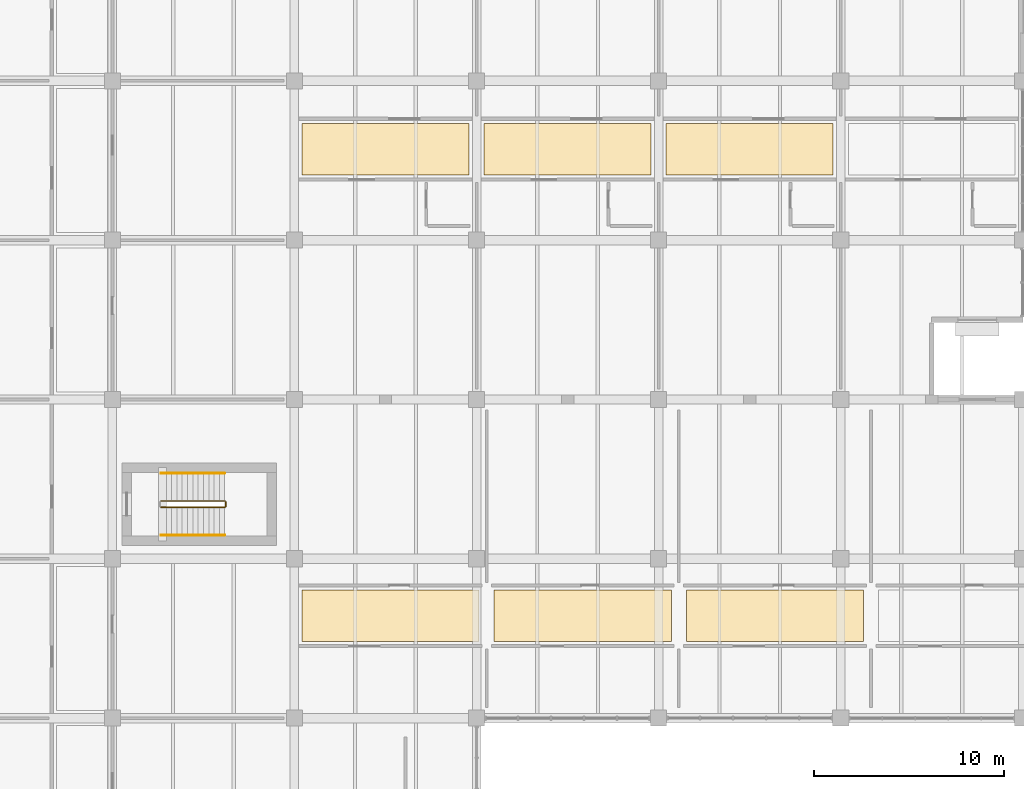
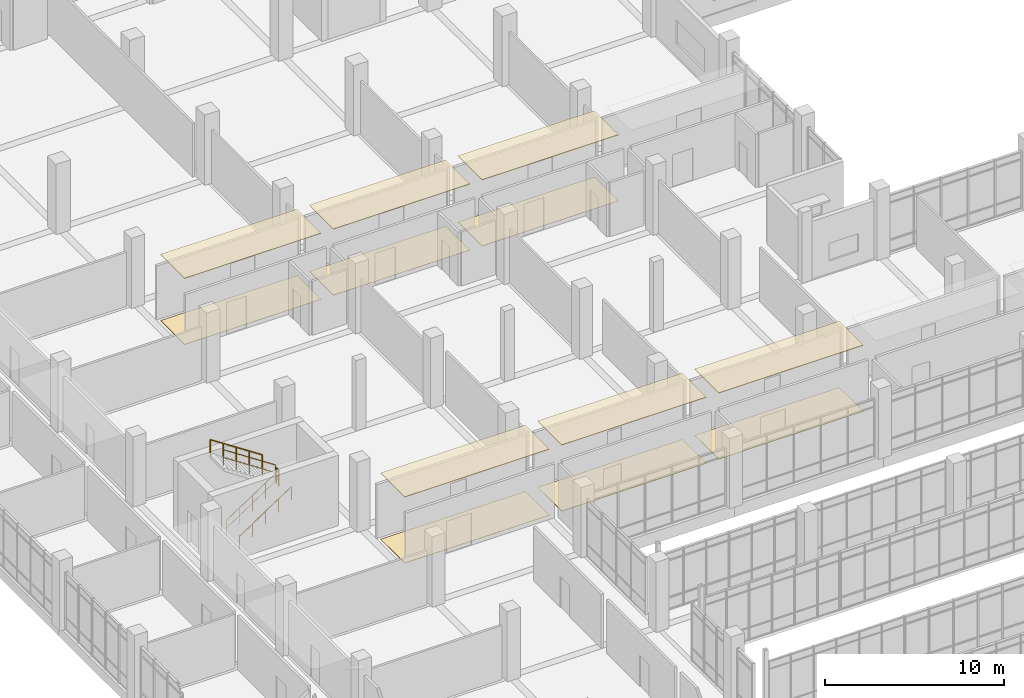
# One storey, part 147 of 152: 12 coverings, 5 railings.
"""IFC4 building model written with IfcOpenShell, lengths in metres."""

from ifc_helpers import new_model, si_unit, direction, frame, origin, origin_2d, place, context, subcontext, project, spatial, polyline, circle, outline, extrude, material, layer, layer_set, type_object, element, save


model = new_model("IFC4")

# Units and contexts
model_context = context("Model", 3, precision=1e-05, world=origin(), true_north=direction((0.0, 1.0)))
body_context = subcontext(model_context, "Body", "Model", "MODEL_VIEW")
ifc_project = project(units=[si_unit("LENGTHUNIT", "METRE"), si_unit("AREAUNIT", "SQUARE_METRE"), si_unit("VOLUMEUNIT", "CUBIC_METRE"), si_unit("PLANEANGLEUNIT", "RADIAN"), si_unit("MASSUNIT", "GRAM", prefix="KILO")], contexts=[model_context])

# Site, building, storey
site_placement = place(None, origin())
site = spatial("IfcSite", under=ifc_project, at=site_placement, CompositionType="ELEMENT")
building_placement = place(site_placement, origin())
building = spatial("IfcBuilding", under=site, at=building_placement, Name="Oolite Switchyard Hospital", CompositionType="ELEMENT")
storey_placement = place(building_placement, frame((0.0, 0.0, 5.10009765625)))
storey = spatial("IfcBuildingStorey", under=building, at=storey_placement, Name="L01", CompositionType="ELEMENT", Elevation=5.10009765625)

# Coverings
ifc_material_1 = material(Name="Hygienic washable mineral-fibre acoustic ceiling")
ifc_layer_1 = layer(ifc_material_1, 0.0400390625)
ifc_layer_set_1 = layer_set([ifc_layer_1], Name="COV-CEIL-AC60")
covering_type_1 = type_object("IfcCoveringType", Name="COV-CEIL-AC60", PredefinedType="CEILING", material=ifc_layer_set_1)
covering_1_placement = place(storey_placement, frame((0.0, 0.0, 4.5)))
element("IfcCovering", 1, at=covering_1_placement, inside=storey, type_object=covering_type_1, Name="L01 Ambulatory Surgery Link Corridor L01 Ceiling 1", PredefinedType="CEILING", context=body_context, shape_type="SweptSolid", body=[
    extrude(outline(polyline([(134.800048828125, 87.449951171875), (143.60009765625, 87.449951171875), (143.60009765625, 90.14990234375), (134.800048828125, 90.14990234375), (134.800048828125, 87.449951171875)])), origin(), (0.0, 0.0, 1.0), 0.039794921875),
])
covering_2_placement = place(storey_placement, frame((0.0, 0.0, 4.5)))
element("IfcCovering", 2, at=covering_2_placement, inside=storey, type_object=covering_type_1, Name="L01 Ambulatory Surgery Link Corridor L01 Ceiling 2", PredefinedType="CEILING", context=body_context, shape_type="SweptSolid", body=[
    extrude(outline(polyline([(144.39990234375, 87.449951171875), (153.199951171875, 87.449951171875), (153.199951171875, 90.14990234375), (144.39990234375, 90.14990234375), (144.39990234375, 87.449951171875)])), origin(), (0.0, 0.0, 1.0), 0.039794921875),
])
covering_3_placement = place(storey_placement, frame((0.0, 0.0, 4.5)))
element("IfcCovering", 3, at=covering_3_placement, inside=storey, type_object=covering_type_1, Name="L01 Ambulatory Surgery Link Corridor L01 Ceiling 3", PredefinedType="CEILING", context=body_context, shape_type="SweptSolid", body=[
    extrude(outline(polyline([(154.0, 87.449951171875), (162.800048828125, 87.449951171875), (162.800048828125, 90.14990234375), (154.0, 90.14990234375), (154.0, 87.449951171875)])), origin(), (0.0, 0.0, 1.0), 0.039794921875),
])
covering_4_placement = place(storey_placement, frame((0.0, 0.0, 4.5)))
element("IfcCovering", 4, at=covering_4_placement, inside=storey, type_object=covering_type_1, Name="L01 Outpatient Rehabilitation Clinic Corridor L01 Ceiling 1", PredefinedType="CEILING", context=body_context, shape_type="SweptSolid", body=[
    extrude(outline(polyline([(134.800048828125, 62.85009765625), (144.133056640625, 62.85009765625), (144.133056640625, 65.550048828125), (134.800048828125, 65.550048828125), (134.800048828125, 62.85009765625)])), origin(), (0.0, 0.0, 1.0), 0.039794921875),
])
covering_5_placement = place(storey_placement, frame((0.0, 0.0, 4.5)))
element("IfcCovering", 5, at=covering_5_placement, inside=storey, type_object=covering_type_1, Name="L01 Outpatient Rehabilitation Clinic Corridor L01 Ceiling 2", PredefinedType="CEILING", context=body_context, shape_type="SweptSolid", body=[
    extrude(outline(polyline([(144.93310546875, 62.85009765625), (154.26611328125, 62.85009765625), (154.26611328125, 65.550048828125), (144.93310546875, 65.550048828125), (144.93310546875, 62.85009765625)])), origin(), (0.0, 0.0, 1.0), 0.039794921875),
])
covering_6_placement = place(storey_placement, frame((0.0, 0.0, 4.5)))
element("IfcCovering", 6, at=covering_6_placement, inside=storey, type_object=covering_type_1, Name="L01 Outpatient Rehabilitation Clinic Corridor L01 Ceiling 3", PredefinedType="CEILING", context=body_context, shape_type="SweptSolid", body=[
    extrude(outline(polyline([(155.06591796875, 62.85009765625), (164.39892578125, 62.85009765625), (164.39892578125, 65.550048828125), (155.06591796875, 65.550048828125), (155.06591796875, 62.85009765625)])), origin(), (0.0, 0.0, 1.0), 0.039794921875),
])
ifc_material_2 = material(Name="Conductive homogeneous sheet vinyl flooring")
ifc_layer_2 = layer(ifc_material_2, 0.014892578125)
ifc_layer_set_2 = layer_set([ifc_layer_2], Name="COV-FLR-ESD15")
covering_type_2 = type_object("IfcCoveringType", Name="COV-FLR-ESD15", PredefinedType="FLOORING", material=ifc_layer_set_2)
covering_7_placement = place(storey_placement, origin())
element("IfcCovering", 7, at=covering_7_placement, inside=storey, type_object=covering_type_2, Name="L01 Ambulatory Surgery Link Corridor L01 Flooring 1", PredefinedType="FLOORING", context=body_context, shape_type="SweptSolid", body=[
    extrude(outline(polyline([(134.800048828125, 87.449951171875), (143.60009765625, 87.449951171875), (143.60009765625, 90.14990234375), (134.800048828125, 90.14990234375), (134.800048828125, 87.449951171875)])), origin(), (0.0, 0.0, 1.0), 0.014892578125),
])
covering_8_placement = place(storey_placement, origin())
element("IfcCovering", 8, at=covering_8_placement, inside=storey, type_object=covering_type_2, Name="L01 Ambulatory Surgery Link Corridor L01 Flooring 2", PredefinedType="FLOORING", context=body_context, shape_type="SweptSolid", body=[
    extrude(outline(polyline([(144.39990234375, 87.449951171875), (153.199951171875, 87.449951171875), (153.199951171875, 90.14990234375), (144.39990234375, 90.14990234375), (144.39990234375, 87.449951171875)])), origin(), (0.0, 0.0, 1.0), 0.014892578125),
])
covering_9_placement = place(storey_placement, origin())
element("IfcCovering", 9, at=covering_9_placement, inside=storey, type_object=covering_type_2, Name="L01 Ambulatory Surgery Link Corridor L01 Flooring 3", PredefinedType="FLOORING", context=body_context, shape_type="SweptSolid", body=[
    extrude(outline(polyline([(154.0, 87.449951171875), (162.800048828125, 87.449951171875), (162.800048828125, 90.14990234375), (154.0, 90.14990234375), (154.0, 87.449951171875)])), origin(), (0.0, 0.0, 1.0), 0.014892578125),
])
covering_10_placement = place(storey_placement, origin())
element("IfcCovering", 10, at=covering_10_placement, inside=storey, type_object=covering_type_2, Name="L01 Outpatient Rehabilitation Clinic Corridor L01 Flooring 1", PredefinedType="FLOORING", context=body_context, shape_type="SweptSolid", body=[
    extrude(outline(polyline([(134.800048828125, 62.85009765625), (144.133056640625, 62.85009765625), (144.133056640625, 65.550048828125), (134.800048828125, 65.550048828125), (134.800048828125, 62.85009765625)])), origin(), (0.0, 0.0, 1.0), 0.014892578125),
])
covering_11_placement = place(storey_placement, origin())
element("IfcCovering", 11, at=covering_11_placement, inside=storey, type_object=covering_type_2, Name="L01 Outpatient Rehabilitation Clinic Corridor L01 Flooring 2", PredefinedType="FLOORING", context=body_context, shape_type="SweptSolid", body=[
    extrude(outline(polyline([(144.93310546875, 62.85009765625), (154.26611328125, 62.85009765625), (154.26611328125, 65.550048828125), (144.93310546875, 65.550048828125), (144.93310546875, 62.85009765625)])), origin(), (0.0, 0.0, 1.0), 0.014892578125),
])
covering_12_placement = place(storey_placement, origin())
element("IfcCovering", 12, at=covering_12_placement, inside=storey, type_object=covering_type_2, Name="L01 Outpatient Rehabilitation Clinic Corridor L01 Flooring 3", PredefinedType="FLOORING", context=body_context, shape_type="SweptSolid", body=[
    extrude(outline(polyline([(155.06591796875, 62.85009765625), (164.39892578125, 62.85009765625), (164.39892578125, 65.550048828125), (155.06591796875, 65.550048828125), (155.06591796875, 62.85009765625)])), origin(), (0.0, 0.0, 1.0), 0.014892578125),
])

# Railings
ifc_material_3 = material(Name="Galvanized painted architectural steel handrail", Category="steel")
railing_type_1 = type_object("IfcRailingType", Name="RL-STAIR-GRD", PredefinedType="GUARDRAIL", material=ifc_material_3)
railing_1_placement = place(storey_placement, frame((127.360107421875, 69.909912109375, 0.1845703125)))
element("IfcRailing", 13, at=railing_1_placement, inside=storey, type_object=railing_type_1, Name="L01 ST-10 stair guard 1", PredefinedType="GUARDRAIL", context=body_context, shape_type="SweptSolid", body=[
    extrude(circle(Radius=0.02392578125, at=origin_2d()), frame((0.0, 0.0, 1.076171875), z_axis=(0.834858096282, 0.0, 0.550465220583), x_axis=(0.0, 1.0, 0.0)), (0.0, 0.0, 1.0), 4.0244140625),
    extrude(circle(Radius=0.015625, at=origin_2d()), frame((0.0, 0.0, 0.550048828125), z_axis=(0.834858096282, 0.0, 0.550465220583), x_axis=(0.0, 1.0, 0.0)), (0.0, 0.0, 1.0), 4.0244140625),
    extrude(circle(Radius=0.02099609375, at=origin_2d()), origin(), (0.0, 0.0, 1.0), 1.052001953125),
    extrude(circle(Radius=0.02099609375, at=origin_2d()), frame((0.83984375, 0.0, 0.5537109375)), (0.0, 0.0, 1.0), 1.052001953125),
    extrude(circle(Radius=0.02099609375, at=origin_2d()), frame((1.679931640625, 0.0, 1.107666015625)), (0.0, 0.0, 1.0), 1.052001953125),
    extrude(circle(Radius=0.02099609375, at=origin_2d()), frame((2.52001953125, 0.0, 1.66162109375)), (0.0, 0.0, 1.0), 1.052001953125),
    extrude(circle(Radius=0.02099609375, at=origin_2d()), frame((3.35986328125, 0.0, 2.21533203125)), (0.0, 0.0, 1.0), 1.052001953125),
])
railing_2_placement = place(storey_placement, frame((130.77001953125, 69.9599609375, 2.39990234375)))
element("IfcRailing", 14, at=railing_2_placement, inside=storey, type_object=railing_type_1, Name="L01 ST-10 stair guard 2", PredefinedType="GUARDRAIL", context=body_context, shape_type="SweptSolid", body=[
    extrude(circle(Radius=0.02392578125, at=origin_2d()), frame((0.0, 0.0, 1.076171875), z_axis=(0.0, 1.0, 0.0), x_axis=(-1.0, 0.0, 0.0)), (0.0, 0.0, 1.0), 0.239990234375),
    extrude(circle(Radius=0.015625, at=origin_2d()), frame((0.0, 0.0, 0.550048828125), z_axis=(0.0, 1.0, 0.0), x_axis=(-1.0, 0.0, 0.0)), (0.0, 0.0, 1.0), 0.239990234375),
    extrude(circle(Radius=0.02099609375, at=origin_2d()), origin(), (0.0, 0.0, 1.0), 1.052001953125),
    extrude(circle(Radius=0.02099609375, at=origin_2d()), frame((0.0, 0.239990234375, 0.0)), (0.0, 0.0, 1.0), 1.052001953125),
])
railing_3_placement = place(storey_placement, frame((130.719970703125, 70.25, 2.58447265625)))
element("IfcRailing", 15, at=railing_3_placement, inside=storey, type_object=railing_type_1, Name="L01 ST-10 stair guard 3", PredefinedType="GUARDRAIL", context=body_context, shape_type="SweptSolid", body=[
    extrude(circle(Radius=0.02392578125, at=origin_2d()), frame((0.0, 0.0, 1.076171875), z_axis=(-0.834858096282, 0.0, 0.550465220583), x_axis=(0.0, -1.0, 0.0)), (0.0, 0.0, 1.0), 4.0244140625),
    extrude(circle(Radius=0.015625, at=origin_2d()), frame((0.0, 0.0, 0.550048828125), z_axis=(-0.834858096282, 0.0, 0.550465220583), x_axis=(0.0, -1.0, 0.0)), (0.0, 0.0, 1.0), 4.0244140625),
    extrude(circle(Radius=0.02099609375, at=origin_2d()), origin(), (0.0, 0.0, 1.0), 1.052001953125),
    extrude(circle(Radius=0.02099609375, at=origin_2d()), frame((-0.83984375, 0.0, 0.5537109375)), (0.0, 0.0, 1.0), 1.052001953125),
    extrude(circle(Radius=0.02099609375, at=origin_2d()), frame((-1.679931640625, 0.0, 1.107666015625)), (0.0, 0.0, 1.0), 1.052001953125),
    extrude(circle(Radius=0.02099609375, at=origin_2d()), frame((-2.52001953125, 0.0, 1.66162109375)), (0.0, 0.0, 1.0), 1.052001953125),
    extrude(circle(Radius=0.02099609375, at=origin_2d()), frame((-3.35986328125, 0.0, 2.21533203125)), (0.0, 0.0, 1.0), 1.052001953125),
])
railing_type_2 = type_object("IfcRailingType", Name="RL-STAIR-HND", PredefinedType="HANDRAIL", material=ifc_material_3)
railing_4_placement = place(storey_placement, frame((127.360107421875, 68.449951171875, 0.1845703125)))
element("IfcRailing", 16, at=railing_4_placement, inside=storey, type_object=railing_type_2, Name="L01 ST-10 stair handrail 1", PredefinedType="HANDRAIL", context=body_context, shape_type="SweptSolid", body=[
    extrude(circle(Radius=0.02392578125, at=origin_2d()), frame((0.0, 0.0, 0.8759765625), z_axis=(0.834858096282, 0.0, 0.550465220583), x_axis=(0.0, 1.0, 0.0)), (0.0, 0.0, 1.0), 4.0244140625),
    extrude(circle(Radius=0.02099609375, at=origin_2d()), origin(), (0.0, 0.0, 1.0), 0.851806640625),
    extrude(circle(Radius=0.02099609375, at=origin_2d()), frame((0.83984375, 0.0, 0.5537109375)), (0.0, 0.0, 1.0), 0.851806640625),
    extrude(circle(Radius=0.02099609375, at=origin_2d()), frame((1.679931640625, 0.0, 1.107666015625)), (0.0, 0.0, 1.0), 0.851806640625),
    extrude(circle(Radius=0.02099609375, at=origin_2d()), frame((2.52001953125, 0.0, 1.66162109375)), (0.0, 0.0, 1.0), 0.851806640625),
    extrude(circle(Radius=0.02099609375, at=origin_2d()), frame((3.35986328125, 0.0, 2.21533203125)), (0.0, 0.0, 1.0), 0.851806640625),
])
railing_5_placement = place(storey_placement, frame((130.719970703125, 71.7099609375, 2.58447265625)))
element("IfcRailing", 17, at=railing_5_placement, inside=storey, type_object=railing_type_2, Name="L01 ST-10 stair handrail 2", PredefinedType="HANDRAIL", context=body_context, shape_type="SweptSolid", body=[
    extrude(circle(Radius=0.02392578125, at=origin_2d()), frame((0.0, 0.0, 0.8759765625), z_axis=(-0.834858096282, 0.0, 0.550465220583), x_axis=(0.0, -1.0, 0.0)), (0.0, 0.0, 1.0), 4.0244140625),
    extrude(circle(Radius=0.02099609375, at=origin_2d()), origin(), (0.0, 0.0, 1.0), 0.851806640625),
    extrude(circle(Radius=0.02099609375, at=origin_2d()), frame((-0.83984375, 0.0, 0.5537109375)), (0.0, 0.0, 1.0), 0.851806640625),
    extrude(circle(Radius=0.02099609375, at=origin_2d()), frame((-1.679931640625, 0.0, 1.107666015625)), (0.0, 0.0, 1.0), 0.851806640625),
    extrude(circle(Radius=0.02099609375, at=origin_2d()), frame((-2.52001953125, 0.0, 1.66162109375)), (0.0, 0.0, 1.0), 0.851806640625),
    extrude(circle(Radius=0.02099609375, at=origin_2d()), frame((-3.35986328125, 0.0, 2.21533203125)), (0.0, 0.0, 1.0), 0.851806640625),
])

save(model, "model.ifc")
